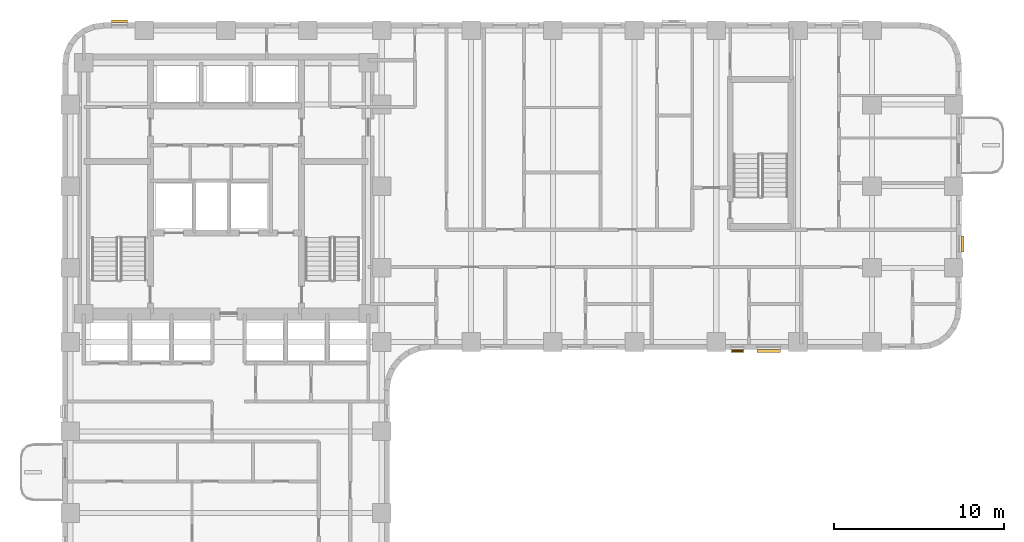
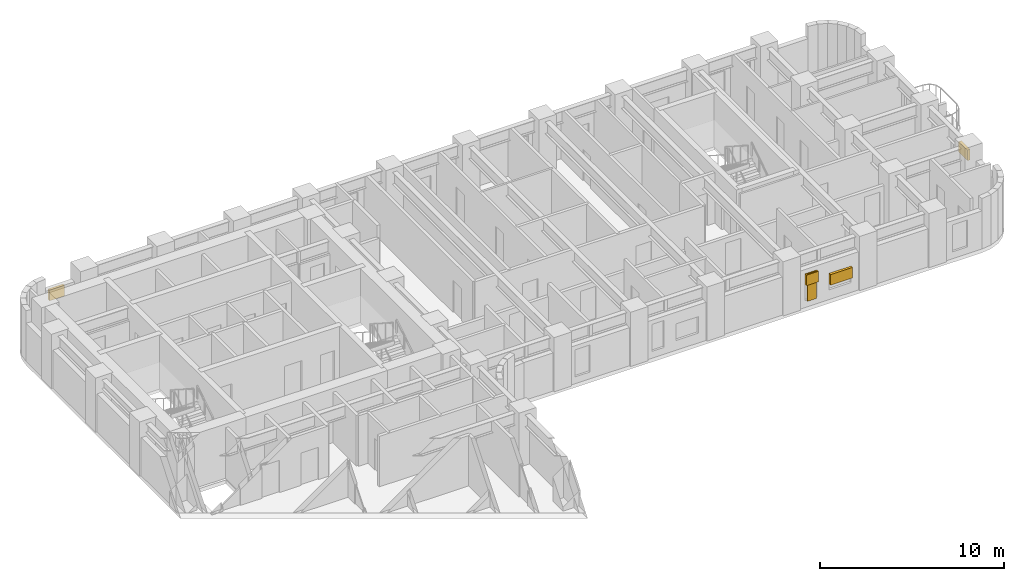
# One storey, part 10 of 11: 5 shading devices.
"""IFC4 building model written with IfcOpenShell, lengths in metres."""

from ifc_helpers import new_model, si_unit, direction, frame, origin, origin_2d, place, context, subcontext, project, spatial, rectangle, extrude, material, type_object, element, save


model = new_model("IFC4")

# Units and contexts
model_context = context("Model", 3, precision=1e-05, world=origin(), true_north=direction((0.0, 1.0)))
body_context = subcontext(model_context, "Body", "Model", "MODEL_VIEW")
ifc_project = project(units=[si_unit("LENGTHUNIT", "METRE"), si_unit("AREAUNIT", "SQUARE_METRE"), si_unit("VOLUMEUNIT", "CUBIC_METRE"), si_unit("PLANEANGLEUNIT", "RADIAN"), si_unit("MASSUNIT", "GRAM", prefix="KILO")], contexts=[model_context])

# Site, building, storey
site_placement = place(None, origin())
site = spatial("IfcSite", under=ifc_project, at=site_placement, CompositionType="ELEMENT")
building_placement = place(site_placement, origin())
building = spatial("IfcBuilding", under=site, at=building_placement, Name="Orvandelia Arch Residences", CompositionType="ELEMENT")
storey_placement = place(building_placement, frame((0.0, 0.0, 82.60009765625)))
storey = spatial("IfcBuildingStorey", under=building, at=storey_placement, Name="L21", CompositionType="ELEMENT", Elevation=82.60009765625)

# Shading devices
ifc_material_1 = material(Name="Anodised Champagne-Bronze Extruded Aluminium", Category="aluminium")
shading_device_type_1 = type_object("IfcShadingDeviceType", Name="SHD-JALOUSIE-SCREEN", PredefinedType="JALOUSIE", material=ifc_material_1)
for number, where, z_axis, x_axis, name in (
    (1, (8.14501953125, 48.080078125, 1.5498046875), (0.0, 0.0, 1.0), (1.0, 0.0, 0.0), "Bronze Jalousie Sun-Shade L21-002"),
    (2, (57.679931640625, 35.010009765625, 1.5498046875), (0.0, 0.0, 1.0), (0.0, -1.0, 0.0), "Bronze Jalousie Sun-Shade L21-004"),
):
    element("IfcShadingDevice", number, at=place(storey_placement, frame(where, z_axis=z_axis, x_axis=x_axis)), inside=storey, type_object=shading_device_type_1, Name=name, PredefinedType="JALOUSIE", context=body_context, shape_type="SweptSolid", body=[
        extrude(rectangle(XDim=0.949951171875, YDim=0.159912109375, at=origin_2d()), origin(), (0.0, 0.0, 1.0), 0.699951171875),
    ])
shading_device_1_placement = place(storey_placement, frame((44.450927734375, 28.719970703125, 1.5498046875), z_axis=(0.0, 0.0, 1.0), x_axis=(-1.0, 0.0, 0.0)))
element("IfcShadingDevice", 3, at=shading_device_1_placement, inside=storey, type_object=shading_device_type_1, Name="Bronze Jalousie Sun-Shade L21-006", PredefinedType="JALOUSIE", context=body_context, shape_type="SweptSolid", body=[
    extrude(rectangle(XDim=0.75, YDim=0.159912109375, at=origin_2d()), origin(), (0.0, 0.0, 1.0), 0.699951171875),
])
shading_device_2_placement = place(storey_placement, frame((46.281005859375, 28.719970703125, 1.0498046875), z_axis=(0.0, 0.0, 1.0), x_axis=(-1.0, 0.0, 0.0)))
element("IfcShadingDevice", 4, at=shading_device_2_placement, inside=storey, type_object=shading_device_type_1, Name="Bronze Jalousie Sun-Shade L21-007", PredefinedType="JALOUSIE", context=body_context, shape_type="SweptSolid", body=[
    extrude(rectangle(XDim=1.39990234375, YDim=0.159912109375, at=origin_2d()), origin(), (0.0, 0.0, 1.0), 0.699951171875),
])
ifc_material_2 = material(Name="Marine-Grade Perforated Aluminium Storm Shutter", Category="aluminium")
shading_device_type_2 = type_object("IfcShadingDeviceType", Name="SHD-STORM-SHUTTER", PredefinedType="SHUTTER", material=ifc_material_2)
shading_device_3_placement = place(storey_placement, frame((44.450927734375, 28.719970703125, 0.44970703125), z_axis=(0.0, 0.0, 1.0), x_axis=(-1.0, 0.0, 0.0)))
element("IfcShadingDevice", 5, at=shading_device_3_placement, inside=storey, type_object=shading_device_type_2, Name="Operable Typhoon Storm Shutter L21-006", PredefinedType="SHUTTER", context=body_context, shape_type="SweptSolid", body=[
    extrude(rectangle(XDim=0.550048828125, YDim=0.080078125, at=origin_2d()), origin(), (0.0, 0.0, 1.0), 1.800048828125),
])

save(model, "model.ifc")
